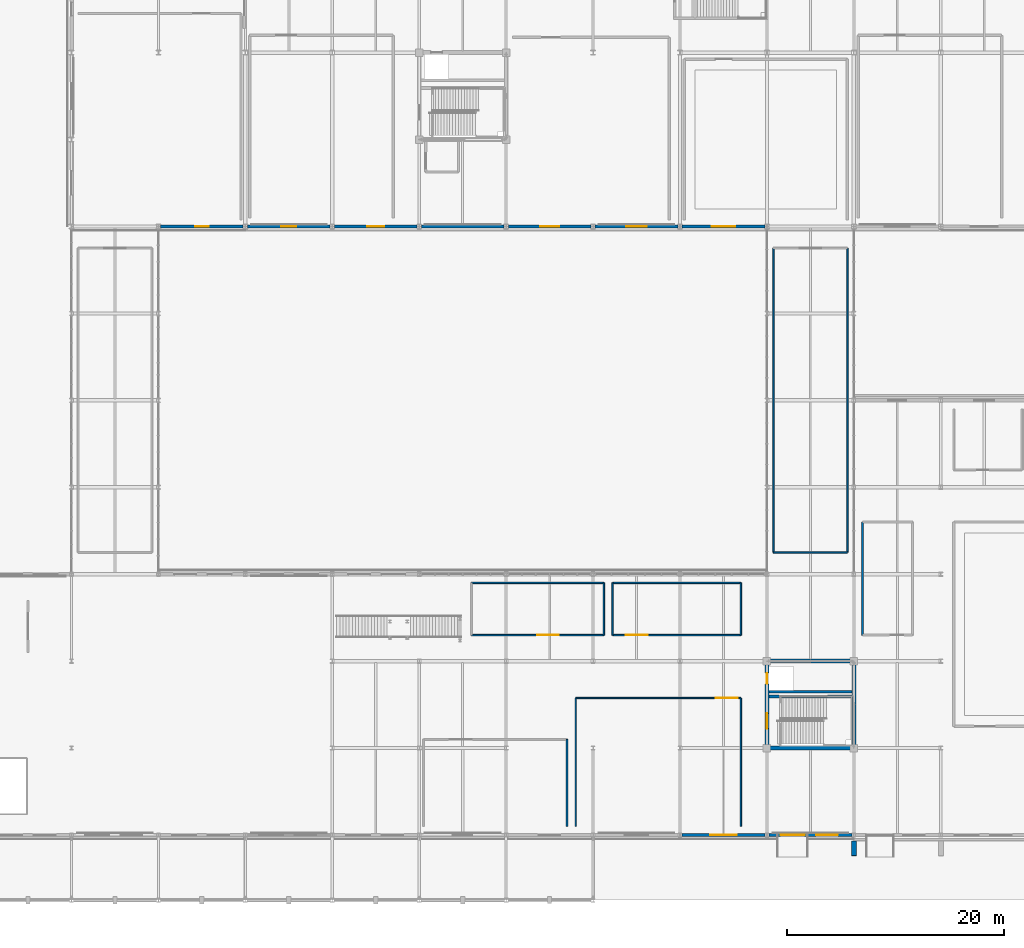
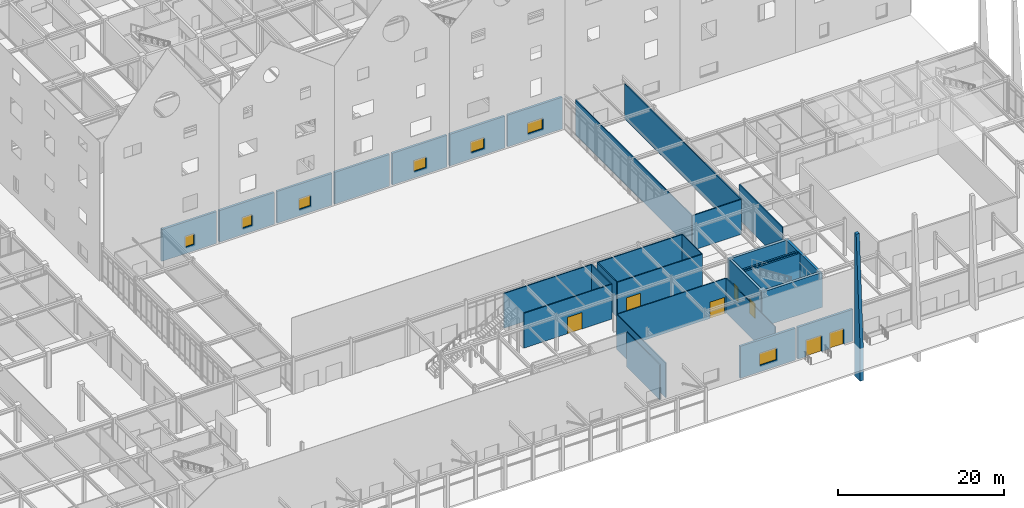
# One storey, part 89 of 119: 31 walls, 7 doors, 7 windows, 14 openings.
"""IFC4 building model written with IfcOpenShell, lengths in metres."""

from ifc_helpers import new_model, si_unit, direction, frame, frame_2d, origin, place, context, subcontext, project, spatial, polyline, rectangle, outline, extrude, material, layer, layer_set, type_object, element, fill, save


model = new_model("IFC4")

# Units and contexts
model_context = context("Model", 3, precision=1e-05, world=origin(), true_north=direction((0.0, 1.0)))
body_context = subcontext(model_context, "Body", "Model", "MODEL_VIEW")
ifc_project = project(units=[si_unit("LENGTHUNIT", "METRE"), si_unit("AREAUNIT", "SQUARE_METRE"), si_unit("VOLUMEUNIT", "CUBIC_METRE"), si_unit("PLANEANGLEUNIT", "RADIAN"), si_unit("MASSUNIT", "GRAM", prefix="KILO")], contexts=[model_context])

# Site, building, storey
site_placement = place(None, origin())
site = spatial("IfcSite", under=ifc_project, at=site_placement, CompositionType="ELEMENT")
building_placement = place(site_placement, origin())
building = spatial("IfcBuilding", under=site, at=building_placement, Name="Zhaolan Boulevard Law Courts", CompositionType="ELEMENT")
storey_placement = place(building_placement, origin())
storey = spatial("IfcBuildingStorey", under=building, at=storey_placement, Name="L00", CompositionType="ELEMENT", Elevation=0.0)

# Walls
ifc_material_1 = material(Name="Concrete C50", Category="concrete")
ifc_layer_1 = layer(ifc_material_1, 0.35009765625)
ifc_layer_set_1 = layer_set([ifc_layer_1])
wall_type_1 = type_object("IfcWallType", Name="CORE SHEAR WALL 350", PredefinedType="SHEAR", material=ifc_layer_set_1)
for number, where, z_axis, x_axis, name in (
    (1, (115.824951171875, 14.0, 0.0), (0.0, 0.0, 1.0), (1.0, 0.0, 0.0), "Core Shear Wall CW-P2-L00S"),
    (2, (124.175048828125, 22.0, 0.0), (0.0, 0.0, 1.0), (-1.0, 0.0, 0.0), "Core Shear Wall CW-P2-L00N"),
):
    element("IfcWall", number, at=place(storey_placement, frame(where, z_axis=z_axis, x_axis=x_axis)), inside=storey, type_object=wall_type_1, Name=name, PredefinedType="SHEAR", context=body_context, shape_type="SweptSolid", body=[
        extrude(rectangle(XDim=8.35009765625, YDim=0.35009765625, at=frame_2d((4.175048828125, 0.0))), origin(), (0.0, 0.0, 1.0), 5.1201171875),
    ])

# Wall, openings, doors
wall_1_placement = place(storey_placement, frame((116.0, 14.175048828125, 0.0), z_axis=(0.0, 0.0, 1.0), x_axis=(0.0, 1.0, 0.0)))
wall_1 = element("IfcWall", 3, at=wall_1_placement, inside=storey, type_object=wall_type_1, Name="Core Shear Wall CW-P2-L00W", PredefinedType="SHEAR", context=body_context, shape_type="SweptSolid", body=[
    extrude(rectangle(XDim=7.64990234375, YDim=0.35009765625, at=frame_2d((3.824951171875, 0.0))), origin(), (0.0, 0.0, 1.0), 5.1201171875),
])
opening_1_placement = place(wall_1_placement, frame((1.625, 0.0, 0.0)))
opening_1 = element("IfcOpeningElement", 4, at=opening_1_placement, cuts=wall_1, Name="Opening SD-L00-27", PredefinedType="OPENING", context=body_context, shape_type="SweptSolid", body=[
    extrude(rectangle(XDim=1.39990234375, YDim=2.199951171875, at=frame_2d((0.699951171875, 1.10009765625))), frame((0.0, 0.18505859375, 0.0), z_axis=(0.0, -1.0, 0.0), x_axis=(1.0, 0.0, 0.0)), (0.0, 0.0, 1.0), 0.3701171875),
])
opening_2_placement = place(wall_1_placement, frame((5.72509765625, 0.0, 0.0)))
opening_2 = element("IfcOpeningElement", 5, at=opening_2_placement, cuts=wall_1, Name="Opening LD-PL-02-L00", PredefinedType="OPENING", context=body_context, shape_type="SweptSolid", body=[
    extrude(rectangle(XDim=1.0, YDim=2.14990234375, at=frame_2d((0.5, 1.074951171875))), frame((0.0, 0.18505859375, 0.0), z_axis=(0.0, -1.0, 0.0), x_axis=(1.0, 0.0, 0.0)), (0.0, 0.0, 1.0), 0.3701171875),
])
ifc_material_2 = material(Name="Stainless steel sliding landing door", Category="steel")
door_type_1 = type_object("IfcDoorType", Name="LIFT LANDING 1000X2150", OperationType="DOUBLE_DOOR_SLIDING", PredefinedType="DOOR", material=ifc_material_2)
door_1_placement = place(opening_2_placement, origin())
door_1 = element("IfcDoor", 6, at=door_1_placement, inside=storey, type_object=door_type_1, Name="Lift Landing Sliding Door LD-PL-02-L00", OperationType="DOUBLE_DOOR_SLIDING", OverallHeight=2.14990234375, OverallWidth=1.0, PredefinedType="DOOR", context=body_context, shape_type="SweptSolid", body=[
    extrude(rectangle(XDim=1.0, YDim=2.14990234375, at=frame_2d((0.5, 1.074951171875))), frame((0.0, 0.02490234375, 0.0), z_axis=(0.0, -1.0, 0.0), x_axis=(1.0, 0.0, 0.0)), (0.0, 0.0, 1.0), 0.050048828125),
])
fill(opening_2, door_1)
ifc_material_3 = material(Name="Fire-rated steel acoustic door", Category="steel")
door_type_2 = type_object("IfcDoorType", Name="STAIR FIRE 1400X2200 L", OperationType="SINGLE_SWING_LEFT", PredefinedType="DOOR", material=ifc_material_3)
door_2_placement = place(opening_1_placement, origin())
door_2 = element("IfcDoor", 7, at=door_2_placement, inside=storey, type_object=door_type_2, Name="Smoke-Proof Stairwell Fire Door SD-L00-27", OperationType="SINGLE_SWING_LEFT", OverallHeight=2.199951171875, OverallWidth=1.39990234375, PredefinedType="DOOR", context=body_context, shape_type="SweptSolid", body=[
    extrude(rectangle(XDim=1.39990234375, YDim=2.199951171875, at=frame_2d((0.699951171875, 1.10009765625))), frame((0.0, 0.02490234375, 0.0), z_axis=(0.0, -1.0, 0.0), x_axis=(1.0, 0.0, 0.0)), (0.0, 0.0, 1.0), 0.050048828125),
])
fill(opening_1, door_2)

# Walls
wall_2_placement = place(storey_placement, frame((124.0, 14.175048828125, 0.0), z_axis=(0.0, 0.0, 1.0), x_axis=(0.0, 1.0, 0.0)))
element("IfcWall", 8, at=wall_2_placement, inside=storey, type_object=wall_type_1, Name="Core Shear Wall CW-P2-L00E", PredefinedType="SHEAR", context=body_context, shape_type="SweptSolid", body=[
    extrude(rectangle(XDim=7.64990234375, YDim=0.35009765625, at=frame_2d((3.824951171875, 0.0))), origin(), (0.0, 0.0, 1.0), 5.1201171875),
])
ifc_material_4 = material(Name="Concrete C40", Category="concrete")
ifc_layer_2 = layer(ifc_material_4, 0.4599609375)
ifc_layer_set_2 = layer_set([ifc_layer_2])
wall_type_2 = type_object("IfcWallType", Name="EXT WALL BUTTRESS460", PredefinedType="SOLIDWALL", material=ifc_layer_set_2)
wall_3_placement = place(storey_placement, frame((124.0, 5.449951171875, -4.800048828125), z_axis=(0.0, 0.0, 1.0), x_axis=(0.0, -1.0, 0.0)))
element("IfcWall", 9, at=wall_3_placement, inside=storey, type_object=wall_type_2, Name="Sculpted Battered Concrete Buttress BTR-010", PredefinedType="SOLIDWALL", context=body_context, shape_type="SweptSolid", body=[
    extrude(outline(polyline([(0.0, 0.0), (1.39990234375, 0.0), (1.39990234375, 4.800048828125), (0.449951171875, 21.0), (0.0, 21.0), (0.0, 0.0)])), frame((0.0, 0.22998046875, 0.0), z_axis=(0.0, -1.0, 0.0), x_axis=(1.0, 0.0, 0.0)), (0.0, 0.0, 1.0), 0.4599609375),
])

# Wall, opening, window
ifc_material_5 = material(Name="Concrete C40", Category="concrete")
ifc_layer_3 = layer(ifc_material_5, 0.320068359375)
ifc_layer_set_3 = layer_set([ifc_layer_3])
wall_type_3 = type_object("IfcWallType", Name="EXT WALL CONCRETE320", PredefinedType="SOLIDWALL", material=ifc_layer_set_3)
wall_4_placement = place(storey_placement, frame((108.1708984375, 6.0, 0.0), z_axis=(0.0, 0.0, 1.0), x_axis=(1.0, 0.0, 0.0)))
wall_4 = element("IfcWall", 10, at=wall_4_placement, inside=storey, type_object=wall_type_3, Name="Exterior Wall EW-L00-133", PredefinedType="SOLIDWALL", context=body_context, shape_type="SweptSolid", body=[
    extrude(rectangle(XDim=7.658203125, YDim=0.320068359375, at=frame_2d((3.8291015625, 0.0))), origin(), (0.0, 0.0, 1.0), 4.68310546875),
])
opening_3_placement = place(wall_4_placement, frame((2.62890625, 0.0, 0.949951171875)))
opening_3 = element("IfcOpeningElement", 11, at=opening_3_placement, cuts=wall_4, Name="Opening WIN-L00-007", PredefinedType="OPENING", context=body_context, shape_type="SweptSolid", body=[
    extrude(rectangle(XDim=2.39990234375, YDim=1.800048828125, at=frame_2d((1.199951171875, 0.89990234375))), frame((0.0, 0.169921875, 0.0), z_axis=(0.0, -1.0, 0.0), x_axis=(1.0, 0.0, 0.0)), (0.0, 0.0, 1.0), 0.340087890625),
])
ifc_material_6 = material(Name="Thermally broken aluminium and low-E glazing", Category="aluminium")
window_type_1 = type_object("IfcWindowType", Name="WINDOW 2400X1800", PartitioningType="DOUBLE_PANEL_VERTICAL", PredefinedType="WINDOW", material=ifc_material_6)
window_1_placement = place(opening_3_placement, origin())
window_1 = element("IfcWindow", 12, at=window_1_placement, inside=storey, type_object=window_type_1, Name="Exterior Window WIN-L00-007", OverallHeight=1.800048828125, OverallWidth=2.39990234375, PartitioningType="SINGLE_PANEL", PredefinedType="WINDOW", context=body_context, shape_type="SweptSolid", body=[
    extrude(rectangle(XDim=2.39990234375, YDim=1.800048828125, at=frame_2d((1.199951171875, 0.89990234375))), frame((0.0, 0.030029296875, 0.0), z_axis=(0.0, -1.0, 0.0), x_axis=(1.0, 0.0, 0.0)), (0.0, 0.0, 1.0), 0.06005859375),
])
fill(opening_3, window_1)

# Wall, openings, doors
wall_5_placement = place(storey_placement, frame((116.1708984375, 6.0, 0.0), z_axis=(0.0, 0.0, 1.0), x_axis=(1.0, 0.0, 0.0)))
wall_5 = element("IfcWall", 13, at=wall_5_placement, inside=storey, type_object=wall_type_3, Name="Exterior Wall EW-L00-134", PredefinedType="SOLIDWALL", context=body_context, shape_type="SweptSolid", body=[
    extrude(rectangle(XDim=7.658203125, YDim=0.320068359375, at=frame_2d((3.8291015625, 0.0))), origin(), (0.0, 0.0, 1.0), 4.68310546875),
])
opening_4_placement = place(wall_5_placement, frame((1.09912109375, 0.0, 0.0)))
opening_4 = element("IfcOpeningElement", 14, at=opening_4_placement, cuts=wall_5, Name="Opening ED-13", PredefinedType="OPENING", context=body_context, shape_type="SweptSolid", body=[
    extrude(rectangle(XDim=2.199951171875, YDim=2.39990234375, at=frame_2d((1.10009765625, 1.199951171875))), frame((0.0, 0.169921875, 0.0), z_axis=(0.0, -1.0, 0.0), x_axis=(1.0, 0.0, 0.0)), (0.0, 0.0, 1.0), 0.340087890625),
])
opening_5_placement = place(wall_5_placement, frame((4.35888671875, 0.0, 0.0)))
opening_5 = element("IfcOpeningElement", 15, at=opening_5_placement, cuts=wall_5, Name="Opening ED-14", PredefinedType="OPENING", context=body_context, shape_type="SweptSolid", body=[
    extrude(rectangle(XDim=2.0, YDim=2.35009765625, at=frame_2d((1.0, 1.175048828125))), frame((0.0, 0.169921875, 0.0), z_axis=(0.0, -1.0, 0.0), x_axis=(1.0, 0.0, 0.0)), (0.0, 0.0, 1.0), 0.340087890625),
])
ifc_material_7 = material(Name="Insulated powder-coated steel and safety glass", Category="steel")
door_type_3 = type_object("IfcDoorType", Name="EXIT DOOR 2000X2350 R", OperationType="DOUBLE_DOOR_SINGLE_SWING", PredefinedType="DOOR", material=ifc_material_7)
door_3_placement = place(opening_5_placement, origin())
door_3 = element("IfcDoor", 16, at=door_3_placement, inside=storey, type_object=door_type_3, Name="Pedestrian Final Exit Door ED-14", OperationType="DOUBLE_DOOR_SINGLE_SWING", OverallHeight=2.35009765625, OverallWidth=2.0, PredefinedType="DOOR", context=body_context, shape_type="SweptSolid", body=[
    extrude(rectangle(XDim=2.0, YDim=2.35009765625, at=frame_2d((1.0, 1.175048828125))), frame((0.0, 0.02490234375, 0.0), z_axis=(0.0, -1.0, 0.0), x_axis=(1.0, 0.0, 0.0)), (0.0, 0.0, 1.0), 0.050048828125),
])
fill(opening_5, door_3)
ifc_material_8 = material(Name="Insulated powder-coated steel and safety glass", Category="steel")
door_type_4 = type_object("IfcDoorType", Name="EXIT DOOR 2200X2400 L", OperationType="DOUBLE_DOOR_SINGLE_SWING", PredefinedType="DOOR", material=ifc_material_8)
door_4_placement = place(opening_4_placement, origin())
door_4 = element("IfcDoor", 17, at=door_4_placement, inside=storey, type_object=door_type_4, Name="Pedestrian Final Exit Door ED-13", OperationType="DOUBLE_DOOR_SINGLE_SWING", OverallHeight=2.39990234375, OverallWidth=2.199951171875, PredefinedType="DOOR", context=body_context, shape_type="SweptSolid", body=[
    extrude(rectangle(XDim=2.199951171875, YDim=2.39990234375, at=frame_2d((1.10009765625, 1.199951171875))), frame((0.0, 0.02490234375, 0.0), z_axis=(0.0, -1.0, 0.0), x_axis=(1.0, 0.0, 0.0)), (0.0, 0.0, 1.0), 0.050048828125),
])
fill(opening_4, door_4)

# Wall, opening, window
wall_6_placement = place(storey_placement, frame((60.196044921875, 62.0, 0.0), z_axis=(0.0, 0.0, 1.0), x_axis=(1.0, 0.0, 0.0)))
wall_6 = element("IfcWall", 18, at=wall_6_placement, inside=storey, type_object=wall_type_3, Name="Exterior Wall EW-L00-173", PredefinedType="SOLIDWALL", context=body_context, shape_type="SweptSolid", body=[
    extrude(rectangle(XDim=7.60791015625, YDim=0.320068359375, at=frame_2d((3.803955078125, 0.0))), origin(), (0.0, 0.0, 1.0), 4.6630859375),
])
opening_6_placement = place(wall_6_placement, frame((3.178955078125, 0.0, 0.949951171875)))
opening_6 = element("IfcOpeningElement", 19, at=opening_6_placement, cuts=wall_6, Name="Opening WIN-L00-033", PredefinedType="OPENING", context=body_context, shape_type="SweptSolid", body=[
    extrude(rectangle(XDim=1.25, YDim=1.60009765625, at=frame_2d((0.625, 0.800048828125))), frame((0.0, 0.169921875, 0.0), z_axis=(0.0, -1.0, 0.0), x_axis=(1.0, 0.0, 0.0)), (0.0, 0.0, 1.0), 0.340087890625),
])
ifc_material_9 = material(Name="Thermally broken aluminium and low-E glazing", Category="aluminium")
window_type_2 = type_object("IfcWindowType", Name="WINDOW 1250X1600", PartitioningType="SINGLE_PANEL", PredefinedType="WINDOW", material=ifc_material_9)
window_2_placement = place(opening_6_placement, origin())
window_2 = element("IfcWindow", 20, at=window_2_placement, inside=storey, type_object=window_type_2, Name="Exterior Window WIN-L00-033", OverallHeight=1.60009765625, OverallWidth=1.25, PartitioningType="SINGLE_PANEL", PredefinedType="WINDOW", context=body_context, shape_type="SweptSolid", body=[
    extrude(rectangle(XDim=1.25, YDim=1.60009765625, at=frame_2d((0.625, 0.800048828125))), frame((0.0, 0.030029296875, 0.0), z_axis=(0.0, -1.0, 0.0), x_axis=(1.0, 0.0, 0.0)), (0.0, 0.0, 1.0), 0.06005859375),
])
fill(opening_6, window_2)

wall_7_placement = place(storey_placement, frame((68.196044921875, 62.0, 0.0), z_axis=(0.0, 0.0, 1.0), x_axis=(1.0, 0.0, 0.0)))
wall_7 = element("IfcWall", 21, at=wall_7_placement, inside=storey, type_object=wall_type_3, Name="Exterior Wall EW-L00-174", PredefinedType="SOLIDWALL", context=body_context, shape_type="SweptSolid", body=[
    extrude(rectangle(XDim=7.60791015625, YDim=0.320068359375, at=frame_2d((3.803955078125, 0.0))), origin(), (0.0, 0.0, 1.0), 4.6630859375),
])
opening_7_placement = place(wall_7_placement, frame((3.10400390625, 0.0, 0.949951171875)))
opening_7 = element("IfcOpeningElement", 22, at=opening_7_placement, cuts=wall_7, Name="Opening WIN-L00-034", PredefinedType="OPENING", context=body_context, shape_type="SweptSolid", body=[
    extrude(rectangle(XDim=1.39990234375, YDim=1.60009765625, at=frame_2d((0.699951171875, 0.800048828125))), frame((0.0, 0.169921875, 0.0), z_axis=(0.0, -1.0, 0.0), x_axis=(1.0, 0.0, 0.0)), (0.0, 0.0, 1.0), 0.340087890625),
])
ifc_material_10 = material(Name="Thermally broken aluminium and low-E glazing", Category="aluminium")
window_type_3 = type_object("IfcWindowType", Name="WINDOW 1400X1600", PartitioningType="SINGLE_PANEL", PredefinedType="WINDOW", material=ifc_material_10)
window_3_placement = place(opening_7_placement, origin())
window_3 = element("IfcWindow", 23, at=window_3_placement, inside=storey, type_object=window_type_3, Name="Exterior Window WIN-L00-034", OverallHeight=1.60009765625, OverallWidth=1.39990234375, PartitioningType="SINGLE_PANEL", PredefinedType="WINDOW", context=body_context, shape_type="SweptSolid", body=[
    extrude(rectangle(XDim=1.39990234375, YDim=1.60009765625, at=frame_2d((0.699951171875, 0.800048828125))), frame((0.0, 0.030029296875, 0.0), z_axis=(0.0, -1.0, 0.0), x_axis=(1.0, 0.0, 0.0)), (0.0, 0.0, 1.0), 0.06005859375),
])
fill(opening_7, window_3)

wall_8_placement = place(storey_placement, frame((76.196044921875, 62.0, 0.0), z_axis=(0.0, 0.0, 1.0), x_axis=(1.0, 0.0, 0.0)))
wall_8 = element("IfcWall", 24, at=wall_8_placement, inside=storey, type_object=wall_type_3, Name="Exterior Wall EW-L00-175", PredefinedType="SOLIDWALL", context=body_context, shape_type="SweptSolid", body=[
    extrude(rectangle(XDim=7.60791015625, YDim=0.320068359375, at=frame_2d((3.803955078125, 0.0))), origin(), (0.0, 0.0, 1.0), 4.6630859375),
])
opening_8_placement = place(wall_8_placement, frame((3.00390625, 0.0, 0.949951171875)))
opening_8 = element("IfcOpeningElement", 25, at=opening_8_placement, cuts=wall_8, Name="Opening WIN-L00-035", PredefinedType="OPENING", context=body_context, shape_type="SweptSolid", body=[
    extrude(rectangle(XDim=1.60009765625, YDim=1.60009765625, at=frame_2d((0.800048828125, 0.800048828125))), frame((0.0, 0.169921875, 0.0), z_axis=(0.0, -1.0, 0.0), x_axis=(1.0, 0.0, 0.0)), (0.0, 0.0, 1.0), 0.340087890625),
])
ifc_material_11 = material(Name="Thermally broken aluminium and low-E glazing", Category="aluminium")
window_type_4 = type_object("IfcWindowType", Name="WINDOW 1600X1600", PartitioningType="SINGLE_PANEL", PredefinedType="WINDOW", material=ifc_material_11)
window_4_placement = place(opening_8_placement, origin())
window_4 = element("IfcWindow", 26, at=window_4_placement, inside=storey, type_object=window_type_4, Name="Exterior Window WIN-L00-035", OverallHeight=1.60009765625, OverallWidth=1.60009765625, PartitioningType="SINGLE_PANEL", PredefinedType="WINDOW", context=body_context, shape_type="SweptSolid", body=[
    extrude(rectangle(XDim=1.60009765625, YDim=1.60009765625, at=frame_2d((0.800048828125, 0.800048828125))), frame((0.0, 0.030029296875, 0.0), z_axis=(0.0, -1.0, 0.0), x_axis=(1.0, 0.0, 0.0)), (0.0, 0.0, 1.0), 0.06005859375),
])
fill(opening_8, window_4)

# Wall
wall_9_placement = place(storey_placement, frame((84.196044921875, 62.0, 0.0), z_axis=(0.0, 0.0, 1.0), x_axis=(1.0, 0.0, 0.0)))
element("IfcWall", 27, at=wall_9_placement, inside=storey, type_object=wall_type_3, Name="Exterior Wall EW-L00-176", PredefinedType="SOLIDWALL", context=body_context, shape_type="SweptSolid", body=[
    extrude(rectangle(XDim=7.60791015625, YDim=0.320068359375, at=frame_2d((3.803955078125, 0.0))), origin(), (0.0, 0.0, 1.0), 4.6630859375),
])

# Wall, opening, window
wall_10_placement = place(storey_placement, frame((92.196044921875, 62.0, 0.0), z_axis=(0.0, 0.0, 1.0), x_axis=(1.0, 0.0, 0.0)))
wall_10 = element("IfcWall", 28, at=wall_10_placement, inside=storey, type_object=wall_type_3, Name="Exterior Wall EW-L00-177", PredefinedType="SOLIDWALL", context=body_context, shape_type="SweptSolid", body=[
    extrude(rectangle(XDim=7.60791015625, YDim=0.320068359375, at=frame_2d((3.803955078125, 0.0))), origin(), (0.0, 0.0, 1.0), 4.6630859375),
])
opening_9_placement = place(wall_10_placement, frame((2.928955078125, 0.0, 0.949951171875)))
opening_9 = element("IfcOpeningElement", 29, at=opening_9_placement, cuts=wall_10, Name="Opening WIN-L00-036", PredefinedType="OPENING", context=body_context, shape_type="SweptSolid", body=[
    extrude(rectangle(XDim=1.75, YDim=1.60009765625, at=frame_2d((0.875, 0.800048828125))), frame((0.0, 0.169921875, 0.0), z_axis=(0.0, -1.0, 0.0), x_axis=(1.0, 0.0, 0.0)), (0.0, 0.0, 1.0), 0.340087890625),
])
ifc_material_12 = material(Name="Thermally broken aluminium and low-E glazing", Category="aluminium")
window_type_5 = type_object("IfcWindowType", Name="WINDOW 1750X1600", PartitioningType="SINGLE_PANEL", PredefinedType="WINDOW", material=ifc_material_12)
window_5_placement = place(opening_9_placement, origin())
window_5 = element("IfcWindow", 30, at=window_5_placement, inside=storey, type_object=window_type_5, Name="Exterior Window WIN-L00-036", OverallHeight=1.60009765625, OverallWidth=1.75, PartitioningType="SINGLE_PANEL", PredefinedType="WINDOW", context=body_context, shape_type="SweptSolid", body=[
    extrude(rectangle(XDim=1.75, YDim=1.60009765625, at=frame_2d((0.875, 0.800048828125))), frame((0.0, 0.030029296875, 0.0), z_axis=(0.0, -1.0, 0.0), x_axis=(1.0, 0.0, 0.0)), (0.0, 0.0, 1.0), 0.06005859375),
])
fill(opening_9, window_5)

wall_11_placement = place(storey_placement, frame((100.196044921875, 62.0, 0.0), z_axis=(0.0, 0.0, 1.0), x_axis=(1.0, 0.0, 0.0)))
wall_11 = element("IfcWall", 31, at=wall_11_placement, inside=storey, type_object=wall_type_3, Name="Exterior Wall EW-L00-178", PredefinedType="SOLIDWALL", context=body_context, shape_type="SweptSolid", body=[
    extrude(rectangle(XDim=7.60791015625, YDim=0.320068359375, at=frame_2d((3.803955078125, 0.0))), origin(), (0.0, 0.0, 1.0), 4.6630859375),
])
opening_10_placement = place(wall_11_placement, frame((2.85400390625, 0.0, 0.949951171875)))
opening_10 = element("IfcOpeningElement", 32, at=opening_10_placement, cuts=wall_11, Name="Opening WIN-L00-037", PredefinedType="OPENING", context=body_context, shape_type="SweptSolid", body=[
    extrude(rectangle(XDim=1.89990234375, YDim=1.60009765625, at=frame_2d((0.949951171875, 0.800048828125))), frame((0.0, 0.169921875, 0.0), z_axis=(0.0, -1.0, 0.0), x_axis=(1.0, 0.0, 0.0)), (0.0, 0.0, 1.0), 0.340087890625),
])
ifc_material_13 = material(Name="Thermally broken aluminium and low-E glazing", Category="aluminium")
window_type_6 = type_object("IfcWindowType", Name="WINDOW 1900X1600", PartitioningType="DOUBLE_PANEL_VERTICAL", PredefinedType="WINDOW", material=ifc_material_13)
window_6_placement = place(opening_10_placement, origin())
window_6 = element("IfcWindow", 33, at=window_6_placement, inside=storey, type_object=window_type_6, Name="Exterior Window WIN-L00-037", OverallHeight=1.60009765625, OverallWidth=1.89990234375, PartitioningType="SINGLE_PANEL", PredefinedType="WINDOW", context=body_context, shape_type="SweptSolid", body=[
    extrude(rectangle(XDim=1.89990234375, YDim=1.60009765625, at=frame_2d((0.949951171875, 0.800048828125))), frame((0.0, 0.030029296875, 0.0), z_axis=(0.0, -1.0, 0.0), x_axis=(1.0, 0.0, 0.0)), (0.0, 0.0, 1.0), 0.06005859375),
])
fill(opening_10, window_6)

wall_12_placement = place(storey_placement, frame((108.196044921875, 62.0, 0.0), z_axis=(0.0, 0.0, 1.0), x_axis=(1.0, 0.0, 0.0)))
wall_12 = element("IfcWall", 34, at=wall_12_placement, inside=storey, type_object=wall_type_3, Name="Exterior Wall EW-L00-179", PredefinedType="SOLIDWALL", context=body_context, shape_type="SweptSolid", body=[
    extrude(rectangle(XDim=7.60791015625, YDim=0.320068359375, at=frame_2d((3.803955078125, 0.0))), origin(), (0.0, 0.0, 1.0), 4.6630859375),
])
opening_11_placement = place(wall_12_placement, frame((2.72900390625, 0.0, 0.949951171875)))
opening_11 = element("IfcOpeningElement", 35, at=opening_11_placement, cuts=wall_12, Name="Opening WIN-L00-038", PredefinedType="OPENING", context=body_context, shape_type="SweptSolid", body=[
    extrude(rectangle(XDim=2.14990234375, YDim=1.60009765625, at=frame_2d((1.074951171875, 0.800048828125))), frame((0.0, 0.169921875, 0.0), z_axis=(0.0, -1.0, 0.0), x_axis=(1.0, 0.0, 0.0)), (0.0, 0.0, 1.0), 0.340087890625),
])
ifc_material_14 = material(Name="Thermally broken aluminium and low-E glazing", Category="aluminium")
window_type_7 = type_object("IfcWindowType", Name="WINDOW 2150X1600", PartitioningType="DOUBLE_PANEL_VERTICAL", PredefinedType="WINDOW", material=ifc_material_14)
window_7_placement = place(opening_11_placement, origin())
window_7 = element("IfcWindow", 36, at=window_7_placement, inside=storey, type_object=window_type_7, Name="Exterior Window WIN-L00-038", OverallHeight=1.60009765625, OverallWidth=2.14990234375, PartitioningType="SINGLE_PANEL", PredefinedType="WINDOW", context=body_context, shape_type="SweptSolid", body=[
    extrude(rectangle(XDim=2.14990234375, YDim=1.60009765625, at=frame_2d((1.074951171875, 0.800048828125))), frame((0.0, 0.030029296875, 0.0), z_axis=(0.0, -1.0, 0.0), x_axis=(1.0, 0.0, 0.0)), (0.0, 0.0, 1.0), 0.06005859375),
])
fill(opening_11, window_7)

# Walls
ifc_material_15 = material(Name="Concrete C50", Category="concrete")
ifc_layer_4 = layer(ifc_material_15, 0.239990234375)
ifc_layer_set_4 = layer_set([ifc_layer_4])
wall_type_4 = type_object("IfcWallType", Name="LIFT SHAFT WALL 240", PredefinedType="SHEAR", material=ifc_layer_set_4)
wall_13_placement = place(storey_placement, frame((116.175048828125, 19.179931640625, 0.0), z_axis=(0.0, 0.0, 1.0), x_axis=(1.0, 0.0, 0.0)))
element("IfcWall", 37, at=wall_13_placement, inside=storey, type_object=wall_type_4, Name="Lift Shaft Enclosure Wall P2 (L00)", PredefinedType="SHEAR", context=body_context, shape_type="SweptSolid", body=[
    extrude(rectangle(XDim=7.64990234375, YDim=0.239990234375, at=frame_2d((3.824951171875, 0.0))), origin(), (0.0, 0.0, 1.0), 5.1201171875),
])
ifc_material_16 = material(Name="Fire-rated gypsum stud partition")
ifc_layer_5 = layer(ifc_material_16, 0.159912109375)
ifc_layer_set_5 = layer_set([ifc_layer_5])
wall_type_5 = type_object("IfcWallType", Name="PART WALL CHAMB160", PredefinedType="PARTITIONING", material=ifc_layer_set_5)
wall_14_placement = place(storey_placement, frame((124.800048828125, 34.800048828125, 0.0), z_axis=(0.0, 0.0, 1.0), x_axis=(0.0, -1.0, 0.0)))
element("IfcWall", 38, at=wall_14_placement, inside=storey, type_object=wall_type_5, Name="Interior Partition PW-L00-257", PredefinedType="PARTITIONING", context=body_context, shape_type="SweptSolid", body=[
    extrude(rectangle(XDim=10.400146484375, YDim=0.159912109375, at=frame_2d((5.2001953125, 0.0))), origin(), (0.0, 0.0, 1.0), 5.1201171875),
])

# Wall, opening, door
ifc_material_17 = material(Name="Gypsum board stud partition")
ifc_layer_6 = layer(ifc_material_17, 0.1201171875)
ifc_layer_set_6 = layer_set([ifc_layer_6])
wall_type_6 = type_object("IfcWallType", Name="PART WALL LIGHT120", PredefinedType="PARTITIONING", material=ifc_layer_set_6)
wall_15_placement = place(storey_placement, frame((113.60009765625, 18.60009765625, 0.0), z_axis=(0.0, 0.0, 1.0), x_axis=(-1.0, 0.0, 0.0)))
wall_15 = element("IfcWall", 39, at=wall_15_placement, inside=storey, type_object=wall_type_6, Name="Interior Partition PW-L00-240", PredefinedType="PARTITIONING", context=body_context, shape_type="SweptSolid", body=[
    extrude(rectangle(XDim=15.2001953125, YDim=0.1201171875, at=frame_2d((7.60009765625, 0.0))), origin(), (0.0, 0.0, 1.0), 5.1201171875),
])
opening_12_placement = place(wall_15_placement, frame((0.300048828125, 0.0, 0.0)))
opening_12 = element("IfcOpeningElement", 40, at=opening_12_placement, cuts=wall_15, Name="Opening ID-L00-072", PredefinedType="OPENING", context=body_context, shape_type="SweptSolid", body=[
    extrude(rectangle(XDim=2.0, YDim=2.39990234375, at=frame_2d((1.0, 1.199951171875))), frame((0.0, 0.070068359375, 0.0), z_axis=(0.0, -1.0, 0.0), x_axis=(1.0, 0.0, 0.0)), (0.0, 0.0, 1.0), 0.14013671875),
])
ifc_material_18 = material(Name="Solid-core acoustic oak veneer door")
door_type_5 = type_object("IfcDoorType", Name="HALL DOUBLE 2000X2400", OperationType="DOUBLE_DOOR_SINGLE_SWING", PredefinedType="DOOR", material=ifc_material_18)
door_5_placement = place(opening_12_placement, origin())
door_5 = element("IfcDoor", 41, at=door_5_placement, inside=storey, type_object=door_type_5, Name="Door ID-L00-072 (Litigation Service Hall)", OperationType="DOUBLE_DOOR_SINGLE_SWING", OverallHeight=2.39990234375, OverallWidth=2.0, PredefinedType="DOOR", context=body_context, shape_type="SweptSolid", body=[
    extrude(rectangle(XDim=2.0, YDim=2.39990234375, at=frame_2d((1.0, 1.199951171875))), frame((0.0, 0.02490234375, 0.0), z_axis=(0.0, -1.0, 0.0), x_axis=(1.0, 0.0, 0.0)), (0.0, 0.0, 1.0), 0.050048828125),
])
fill(opening_12, door_5)

# Walls
for number, where, z_axis, x_axis, name in (
    (42, (98.39990234375, 18.60009765625, 0.0), (0.0, 0.0, 1.0), (0.0, -1.0, 0.0), "Interior Partition PW-L00-241"),
    (43, (113.60009765625, 6.800048828125, 0.0), (0.0, 0.0, 1.0), (0.0, 1.0, 0.0), "Interior Partition PW-L00-242"),
):
    element("IfcWall", number, at=place(storey_placement, frame(where, z_axis=z_axis, x_axis=x_axis)), inside=storey, type_object=wall_type_6, Name=name, PredefinedType="PARTITIONING", context=body_context, shape_type="SweptSolid", body=[
        extrude(rectangle(XDim=11.800048828125, YDim=0.1201171875, at=frame_2d((5.89990234375, 0.0))), origin(), (0.0, 0.0, 1.0), 5.1201171875),
    ])
ifc_material_19 = material(Name="Fire-rated gypsum stud partition")
ifc_layer_7 = layer(ifc_material_19, 0.139892578125)
ifc_layer_set_7 = layer_set([ifc_layer_7])
wall_type_7 = type_object("IfcWallType", Name="PART WALL OFFICE140", PredefinedType="PARTITIONING", material=ifc_layer_set_7)
wall_16_placement = place(storey_placement, frame((97.60009765625, 6.800048828125, 0.0), z_axis=(0.0, 0.0, 1.0), x_axis=(0.0, 1.0, 0.0)))
element("IfcWall", 44, at=wall_16_placement, inside=storey, type_object=wall_type_7, Name="Interior Partition PW-L00-239", PredefinedType="PARTITIONING", context=body_context, shape_type="SweptSolid", body=[
    extrude(rectangle(XDim=8.0, YDim=0.139892578125, at=frame_2d((4.0, 0.0))), origin(), (0.0, 0.0, 1.0), 5.1201171875),
])

# Wall, opening, door
wall_17_placement = place(storey_placement, frame((88.800048828125, 24.39990234375, 0.0), z_axis=(0.0, 0.0, 1.0), x_axis=(1.0, 0.0, 0.0)))
wall_17 = element("IfcWall", 45, at=wall_17_placement, inside=storey, type_object=wall_type_7, Name="Interior Partition PW-L00-243", PredefinedType="PARTITIONING", context=body_context, shape_type="SweptSolid", body=[
    extrude(rectangle(XDim=12.199951171875, YDim=0.139892578125, at=frame_2d((6.10009765625, 0.0))), origin(), (0.0, 0.0, 1.0), 5.1201171875),
])
opening_13_placement = place(wall_17_placement, frame((6.06005859375, 0.0, 0.0)))
opening_13 = element("IfcOpeningElement", 46, at=opening_13_placement, cuts=wall_17, Name="Opening ID-L00-073", PredefinedType="OPENING", context=body_context, shape_type="SweptSolid", body=[
    extrude(rectangle(XDim=2.0, YDim=2.39990234375, at=frame_2d((1.0, 1.199951171875))), frame((0.0, 0.079833984375, 0.0), z_axis=(0.0, -1.0, 0.0), x_axis=(1.0, 0.0, 0.0)), (0.0, 0.0, 1.0), 0.159912109375),
])
door_6_placement = place(opening_13_placement, origin())
door_6 = element("IfcDoor", 47, at=door_6_placement, inside=storey, type_object=door_type_5, Name="Door ID-L00-073 (Courthouse Public Cafe)", OperationType="DOUBLE_DOOR_SINGLE_SWING", OverallHeight=2.39990234375, OverallWidth=2.0, PredefinedType="DOOR", context=body_context, shape_type="SweptSolid", body=[
    extrude(rectangle(XDim=2.0, YDim=2.39990234375, at=frame_2d((1.0, 1.199951171875))), frame((0.0, 0.02490234375, 0.0), z_axis=(0.0, -1.0, 0.0), x_axis=(1.0, 0.0, 0.0)), (0.0, 0.0, 1.0), 0.050048828125),
])
fill(opening_13, door_6)

# Walls
wall_18_placement = place(storey_placement, frame((101.0, 29.199951171875, 0.0), z_axis=(0.0, 0.0, 1.0), x_axis=(-1.0, 0.0, 0.0)))
element("IfcWall", 48, at=wall_18_placement, inside=storey, type_object=wall_type_7, Name="Interior Partition PW-L00-244", PredefinedType="PARTITIONING", context=body_context, shape_type="SweptSolid", body=[
    extrude(rectangle(XDim=12.199951171875, YDim=0.139892578125, at=frame_2d((6.10009765625, 0.0))), origin(), (0.0, 0.0, 1.0), 5.1201171875),
])
wall_19_placement = place(storey_placement, frame((101.0, 24.39990234375, 0.0), z_axis=(0.0, 0.0, 1.0), x_axis=(0.0, 1.0, 0.0)))
element("IfcWall", 49, at=wall_19_placement, inside=storey, type_object=wall_type_7, Name="Interior Partition PW-L00-246", PredefinedType="PARTITIONING", context=body_context, shape_type="SweptSolid", body=[
    extrude(rectangle(XDim=4.800048828125, YDim=0.139892578125, at=frame_2d((2.39990234375, 0.0))), origin(), (0.0, 0.0, 1.0), 5.1201171875),
])

# Wall, opening, door
wall_20_placement = place(storey_placement, frame((101.800048828125, 24.39990234375, 0.0), z_axis=(0.0, 0.0, 1.0), x_axis=(1.0, 0.0, 0.0)))
wall_20 = element("IfcWall", 50, at=wall_20_placement, inside=storey, type_object=wall_type_7, Name="Interior Partition PW-L00-247", PredefinedType="PARTITIONING", context=body_context, shape_type="SweptSolid", body=[
    extrude(rectangle(XDim=11.800048828125, YDim=0.139892578125, at=frame_2d((5.89990234375, 0.0))), origin(), (0.0, 0.0, 1.0), 5.1201171875),
])
opening_14_placement = place(wall_20_placement, frame((1.219970703125, 0.0, 0.0)))
opening_14 = element("IfcOpeningElement", 51, at=opening_14_placement, cuts=wall_20, Name="Opening ID-L00-074", PredefinedType="OPENING", context=body_context, shape_type="SweptSolid", body=[
    extrude(rectangle(XDim=2.0, YDim=2.39990234375, at=frame_2d((1.0, 1.199951171875))), frame((0.0, 0.079833984375, 0.0), z_axis=(0.0, -1.0, 0.0), x_axis=(1.0, 0.0, 0.0)), (0.0, 0.0, 1.0), 0.159912109375),
])
door_7_placement = place(opening_14_placement, origin())
door_7 = element("IfcDoor", 52, at=door_7_placement, inside=storey, type_object=door_type_5, Name="Door ID-L00-074 (Legal Publications Shop)", OperationType="DOUBLE_DOOR_SINGLE_SWING", OverallHeight=2.39990234375, OverallWidth=2.0, PredefinedType="DOOR", context=body_context, shape_type="SweptSolid", body=[
    extrude(rectangle(XDim=2.0, YDim=2.39990234375, at=frame_2d((1.0, 1.199951171875))), frame((0.0, 0.02490234375, 0.0), z_axis=(0.0, -1.0, 0.0), x_axis=(1.0, 0.0, 0.0)), (0.0, 0.0, 1.0), 0.050048828125),
])
fill(opening_14, door_7)

# Walls
wall_21_placement = place(storey_placement, frame((113.60009765625, 29.199951171875, 0.0), z_axis=(0.0, 0.0, 1.0), x_axis=(-1.0, 0.0, 0.0)))
element("IfcWall", 53, at=wall_21_placement, inside=storey, type_object=wall_type_7, Name="Interior Partition PW-L00-248", PredefinedType="PARTITIONING", context=body_context, shape_type="SweptSolid", body=[
    extrude(rectangle(XDim=11.800048828125, YDim=0.139892578125, at=frame_2d((5.89990234375, 0.0))), origin(), (0.0, 0.0, 1.0), 5.1201171875),
])
for number, where, z_axis, x_axis, name in (
    (54, (101.800048828125, 29.199951171875, 0.0), (0.0, 0.0, 1.0), (0.0, -1.0, 0.0), "Interior Partition PW-L00-249"),
    (55, (113.60009765625, 24.39990234375, 0.0), (0.0, 0.0, 1.0), (0.0, 1.0, 0.0), "Interior Partition PW-L00-250"),
):
    element("IfcWall", number, at=place(storey_placement, frame(where, z_axis=z_axis, x_axis=x_axis)), inside=storey, type_object=wall_type_7, Name=name, PredefinedType="PARTITIONING", context=body_context, shape_type="SweptSolid", body=[
        extrude(rectangle(XDim=4.800048828125, YDim=0.139892578125, at=frame_2d((2.39990234375, 0.0))), origin(), (0.0, 0.0, 1.0), 5.1201171875),
    ])
wall_22_placement = place(storey_placement, frame((116.60009765625, 32.0, 0.0), z_axis=(0.0, 0.0, 1.0), x_axis=(1.0, 0.0, 0.0)))
element("IfcWall", 56, at=wall_22_placement, inside=storey, type_object=wall_type_7, Name="Interior Partition PW-L00-755", PredefinedType="PARTITIONING", context=body_context, shape_type="SweptSolid", body=[
    extrude(rectangle(XDim=6.7998046875, YDim=0.139892578125, at=frame_2d((3.39990234375, 0.0))), origin(), (0.0, 0.0, 1.0), 5.1201171875),
])
for number, where, z_axis, x_axis, name in (
    (57, (116.60009765625, 60.0, 0.0), (0.0, 0.0, 1.0), (0.0, -1.0, 0.0), "Interior Partition PW-L00-757"),
    (58, (123.39990234375, 32.0, 0.0), (0.0, 0.0, 1.0), (0.0, 1.0, 0.0), "Interior Partition PW-L00-758"),
):
    element("IfcWall", number, at=place(storey_placement, frame(where, z_axis=z_axis, x_axis=x_axis)), inside=storey, type_object=wall_type_7, Name=name, PredefinedType="PARTITIONING", context=body_context, shape_type="SweptSolid", body=[
        extrude(rectangle(XDim=28.0, YDim=0.139892578125, at=frame_2d((14.0, 0.0))), origin(), (0.0, 0.0, 1.0), 5.1201171875),
    ])
ifc_material_20 = material(Name="Concrete C50", Category="concrete")
ifc_layer_8 = layer(ifc_material_20, 0.239990234375)
ifc_layer_set_8 = layer_set([ifc_layer_8])
wall_type_8 = type_object("IfcWallType", Name="STAIR WELL WALL 240", PredefinedType="SHEAR", material=ifc_layer_set_8)
wall_23_placement = place(storey_placement, frame((116.175048828125, 18.75, 0.0), z_axis=(0.0, 0.0, 1.0), x_axis=(1.0, 0.0, 0.0)))
element("IfcWall", 59, at=wall_23_placement, inside=storey, type_object=wall_type_8, Name="Stairwell Divider Shear Wall ST05-L00N", PredefinedType="SHEAR", context=body_context, shape_type="SweptSolid", body=[
    extrude(rectangle(XDim=7.64990234375, YDim=0.239990234375, at=frame_2d((3.824951171875, 0.0))), origin(), (0.0, 0.0, 1.0), 5.1201171875),
])

save(model, "model.ifc")
